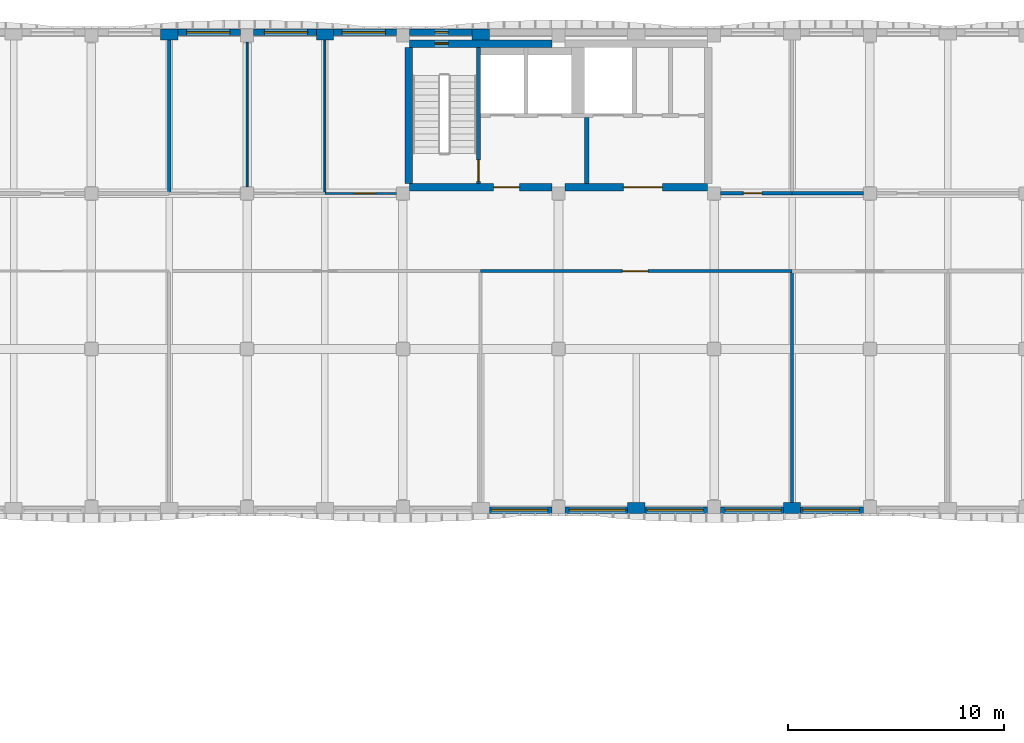
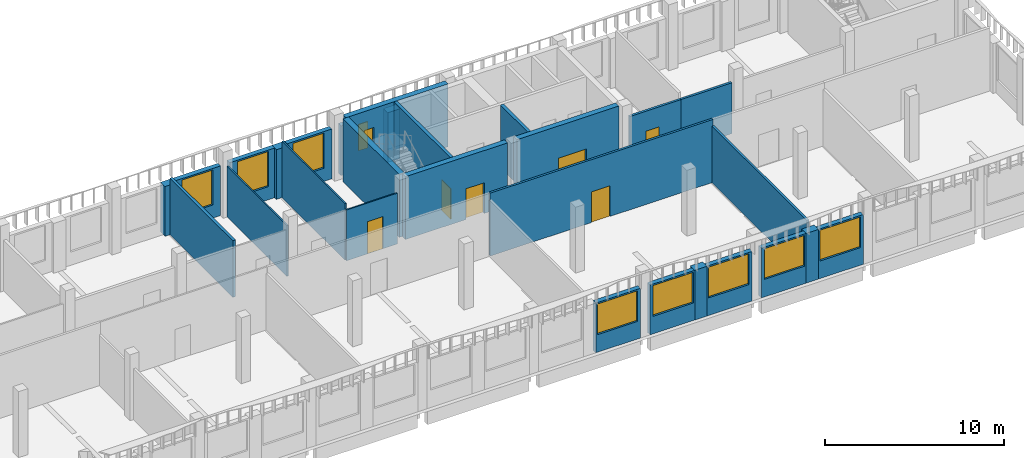
# One storey, part 19 of 44: 28 walls, 10 windows, 6 doors, 16 openings.
"""IFC4 building model written with IfcOpenShell, lengths in metres."""

from ifc_helpers import new_model, si_unit, direction, frame, frame_2d, origin, place, context, subcontext, project, spatial, rectangle, extrude, material, layer, layer_set, type_object, element, fill, save


model = new_model("IFC4")

# Units and contexts
model_context = context("Model", 3, precision=1e-05, world=origin(), true_north=direction((0.0, 1.0)))
body_context = subcontext(model_context, "Body", "Model", "MODEL_VIEW")
ifc_project = project(units=[si_unit("LENGTHUNIT", "METRE"), si_unit("AREAUNIT", "SQUARE_METRE"), si_unit("VOLUMEUNIT", "CUBIC_METRE"), si_unit("PLANEANGLEUNIT", "RADIAN"), si_unit("MASSUNIT", "GRAM", prefix="KILO")], contexts=[model_context])

# Site, building, storey
site_placement = place(None, origin())
site = spatial("IfcSite", under=ifc_project, at=site_placement, CompositionType="ELEMENT")
building_placement = place(site_placement, origin())
building = spatial("IfcBuilding", under=site, at=building_placement, Name="Ussher Court Research Institute", CompositionType="ELEMENT")
storey_placement = place(building_placement, frame((0.0, 0.0, 18.89990234375)))
storey = spatial("IfcBuildingStorey", under=building, at=storey_placement, Name="L04", CompositionType="ELEMENT", Elevation=18.89990234375)

# Wall
ifc_material_1 = material(Name="Plasterboard on steel studs with mineral wool", Category="steel")
ifc_layer_1 = layer(ifc_material_1, 0.179931640625)
ifc_layer_set_1 = layer_set([ifc_layer_1], Name="Plasterboard on steel studs with mineral wool")
wall_type_1 = type_object("IfcWallType", Name="Acoustic twin-stud partition 180", PredefinedType="PARTITIONING", material=ifc_layer_set_1)
wall_1_placement = place(storey_placement, frame((35.39990234375, 83.2451171875, 0.0), z_axis=(0.0, 0.0, 1.0), x_axis=(0.0, 1.0, 0.0)))
element("IfcWall", 1, at=wall_1_placement, inside=storey, type_object=wall_type_1, Name="Partition", PredefinedType="PARTITIONING", context=body_context, shape_type="SweptSolid", body=[
    extrude(rectangle(XDim=7.054931640625, YDim=0.179931640625, at=frame_2d((3.52734375, 0.0))), origin(), (0.0, 0.0, 1.0), 3.8701171875),
])

# Wall, opening, window
ifc_material_2 = material(Name="Blockwork with cream render", Category="masonry")
ifc_layer_2 = layer(ifc_material_2, 0.300048828125)
ifc_layer_set_2 = layer_set([ifc_layer_2], Name="Blockwork with cream render")
wall_type_2 = type_object("IfcWallType", Name="External wall 300 cream render", PredefinedType="SOLIDWALL", material=ifc_layer_set_2)
wall_2_placement = place(storey_placement, frame((35.800048828125, 90.64990234375, 0.0), z_axis=(0.0, 0.0, 1.0), x_axis=(1.0, 0.0, 0.0)))
wall_2 = element("IfcWall", 2, at=wall_2_placement, inside=storey, type_object=wall_type_2, Name="External wall EW1 L04", PredefinedType="SOLIDWALL", context=body_context, shape_type="SweptSolid", body=[
    extrude(rectangle(XDim=2.89990234375, YDim=0.300048828125, at=frame_2d((1.449951171875, 0.0))), origin(), (0.0, 0.0, 1.0), 3.400146484375),
])
opening_1_placement = place(wall_2_placement, frame((0.39990234375, 0.0, 0.89990234375)))
opening_1 = element("IfcOpeningElement", 3, at=opening_1_placement, cuts=wall_2, Name="Opening W14", PredefinedType="OPENING", context=body_context, shape_type="SweptSolid", body=[
    extrude(rectangle(XDim=2.0, YDim=2.39990234375, at=frame_2d((1.0, 1.199951171875))), frame((0.0, 0.16015625, 0.0), z_axis=(0.0, -1.0, 0.0), x_axis=(1.0, 0.0, 0.0)), (0.0, 0.0, 1.0), 0.320068359375),
])
ifc_material_3 = material(Name="Bronze anodised aluminium with double glazing", Category="aluminium")
window_type_1 = type_object("IfcWindowType", Name="Seminar and write-up office window 2000x2400", PartitioningType="DOUBLE_PANEL_VERTICAL", PredefinedType="WINDOW", material=ifc_material_3)
window_1_placement = place(opening_1_placement, origin())
window_1 = element("IfcWindow", 4, at=window_1_placement, inside=storey, type_object=window_type_1, Name="Window W14 L04", OverallHeight=2.39990234375, OverallWidth=2.0, PartitioningType="SINGLE_PANEL", PredefinedType="WINDOW", context=body_context, shape_type="SweptSolid", body=[
    extrude(rectangle(XDim=2.0, YDim=2.39990234375, at=frame_2d((1.0, 1.199951171875))), frame((0.0, 0.030029296875, 0.0), z_axis=(0.0, -1.0, 0.0), x_axis=(1.0, 0.0, 0.0)), (0.0, 0.0, 1.0), 0.06005859375),
])
fill(opening_1, window_1)

wall_3_placement = place(storey_placement, frame((39.300048828125, 90.64990234375, 0.0), z_axis=(0.0, 0.0, 1.0), x_axis=(1.0, 0.0, 0.0)))
wall_3 = element("IfcWall", 5, at=wall_3_placement, inside=storey, type_object=wall_type_2, Name="External wall EW1 L04", PredefinedType="SOLIDWALL", context=body_context, shape_type="SweptSolid", body=[
    extrude(rectangle(XDim=2.89990234375, YDim=0.300048828125, at=frame_2d((1.449951171875, 0.0))), origin(), (0.0, 0.0, 1.0), 3.400146484375),
])
opening_2_placement = place(wall_3_placement, frame((0.5, 0.0, 0.89990234375)))
opening_2 = element("IfcOpeningElement", 6, at=opening_2_placement, cuts=wall_3, Name="Opening W14", PredefinedType="OPENING", context=body_context, shape_type="SweptSolid", body=[
    extrude(rectangle(XDim=2.0, YDim=2.39990234375, at=frame_2d((1.0, 1.199951171875))), frame((0.0, 0.16015625, 0.0), z_axis=(0.0, -1.0, 0.0), x_axis=(1.0, 0.0, 0.0)), (0.0, 0.0, 1.0), 0.320068359375),
])
window_2_placement = place(opening_2_placement, origin())
window_2 = element("IfcWindow", 7, at=window_2_placement, inside=storey, type_object=window_type_1, Name="Window W14 L04", OverallHeight=2.39990234375, OverallWidth=2.0, PartitioningType="SINGLE_PANEL", PredefinedType="WINDOW", context=body_context, shape_type="SweptSolid", body=[
    extrude(rectangle(XDim=2.0, YDim=2.39990234375, at=frame_2d((1.0, 1.199951171875))), frame((0.0, 0.030029296875, 0.0), z_axis=(0.0, -1.0, 0.0), x_axis=(1.0, 0.0, 0.0)), (0.0, 0.0, 1.0), 0.06005859375),
])
fill(opening_2, window_2)

wall_4_placement = place(storey_placement, frame((43.0, 90.64990234375, 0.0), z_axis=(0.0, 0.0, 1.0), x_axis=(1.0, 0.0, 0.0)))
wall_4 = element("IfcWall", 8, at=wall_4_placement, inside=storey, type_object=wall_type_2, Name="External wall EW1 L04", PredefinedType="SOLIDWALL", context=body_context, shape_type="SweptSolid", body=[
    extrude(rectangle(XDim=2.89990234375, YDim=0.300048828125, at=frame_2d((1.449951171875, 0.0))), origin(), (0.0, 0.0, 1.0), 3.400146484375),
])
opening_3_placement = place(wall_4_placement, frame((0.39990234375, 0.0, 0.89990234375)))
opening_3 = element("IfcOpeningElement", 9, at=opening_3_placement, cuts=wall_4, Name="Opening W14", PredefinedType="OPENING", context=body_context, shape_type="SweptSolid", body=[
    extrude(rectangle(XDim=2.0, YDim=2.39990234375, at=frame_2d((1.0, 1.199951171875))), frame((0.0, 0.16015625, 0.0), z_axis=(0.0, -1.0, 0.0), x_axis=(1.0, 0.0, 0.0)), (0.0, 0.0, 1.0), 0.320068359375),
])
window_3_placement = place(opening_3_placement, origin())
window_3 = element("IfcWindow", 10, at=window_3_placement, inside=storey, type_object=window_type_1, Name="Window W14 L04", OverallHeight=2.39990234375, OverallWidth=2.0, PartitioningType="SINGLE_PANEL", PredefinedType="WINDOW", context=body_context, shape_type="SweptSolid", body=[
    extrude(rectangle(XDim=2.0, YDim=2.39990234375, at=frame_2d((1.0, 1.199951171875))), frame((0.0, 0.030029296875, 0.0), z_axis=(0.0, -1.0, 0.0), x_axis=(1.0, 0.0, 0.0)), (0.0, 0.0, 1.0), 0.06005859375),
])
fill(opening_3, window_3)

wall_5_placement = place(storey_placement, frame((67.5, 68.550048828125, 0.0), z_axis=(0.0, 0.0, 1.0), x_axis=(-1.0, 0.0, 0.0)))
wall_5 = element("IfcWall", 11, at=wall_5_placement, inside=storey, type_object=wall_type_2, Name="External wall EW1 L04", PredefinedType="SOLIDWALL", context=body_context, shape_type="SweptSolid", body=[
    extrude(rectangle(XDim=2.89990234375, YDim=0.300048828125, at=frame_2d((1.449951171875, 0.0))), origin(), (0.0, 0.0, 1.0), 3.400146484375),
])
opening_4_placement = place(wall_5_placement, frame((0.199951171875, 0.0, 1.199951171875)))
opening_4 = element("IfcOpeningElement", 12, at=opening_4_placement, cuts=wall_5, Name="Opening W08", PredefinedType="OPENING", context=body_context, shape_type="SweptSolid", body=[
    extrude(rectangle(XDim=2.60009765625, YDim=2.10009765625, at=frame_2d((1.300048828125, 1.050048828125))), frame((0.0, 0.16015625, 0.0), z_axis=(0.0, -1.0, 0.0), x_axis=(1.0, 0.0, 0.0)), (0.0, 0.0, 1.0), 0.320068359375),
])
ifc_material_4 = material(Name="Bronze anodised aluminium with double glazing", Category="aluminium")
window_type_2 = type_object("IfcWindowType", Name="Dry laboratory bay window 2600x2100", PartitioningType="DOUBLE_PANEL_VERTICAL", PredefinedType="WINDOW", material=ifc_material_4)
window_4_placement = place(opening_4_placement, origin())
window_4 = element("IfcWindow", 13, at=window_4_placement, inside=storey, type_object=window_type_2, Name="Window W08 L04", OverallHeight=2.10009765625, OverallWidth=2.60009765625, PartitioningType="SINGLE_PANEL", PredefinedType="WINDOW", context=body_context, shape_type="SweptSolid", body=[
    extrude(rectangle(XDim=2.60009765625, YDim=2.10009765625, at=frame_2d((1.300048828125, 1.050048828125))), frame((0.0, 0.030029296875, 0.0), z_axis=(0.0, -1.0, 0.0), x_axis=(1.0, 0.0, 0.0)), (0.0, 0.0, 1.0), 0.06005859375),
])
fill(opening_4, window_4)

wall_6_placement = place(storey_placement, frame((63.800048828125, 68.550048828125, 0.0), z_axis=(0.0, 0.0, 1.0), x_axis=(-1.0, 0.0, 0.0)))
wall_6 = element("IfcWall", 14, at=wall_6_placement, inside=storey, type_object=wall_type_2, Name="External wall EW1 L04", PredefinedType="SOLIDWALL", context=body_context, shape_type="SweptSolid", body=[
    extrude(rectangle(XDim=2.900146484375, YDim=0.300048828125, at=frame_2d((1.4501953125, 0.0))), origin(), (0.0, 0.0, 1.0), 3.400146484375),
])
opening_5_placement = place(wall_6_placement, frame((0.10009765625, 0.0, 1.199951171875)))
opening_5 = element("IfcOpeningElement", 15, at=opening_5_placement, cuts=wall_6, Name="Opening W08", PredefinedType="OPENING", context=body_context, shape_type="SweptSolid", body=[
    extrude(rectangle(XDim=2.60009765625, YDim=2.10009765625, at=frame_2d((1.300048828125, 1.050048828125))), frame((0.0, 0.16015625, 0.0), z_axis=(0.0, -1.0, 0.0), x_axis=(1.0, 0.0, 0.0)), (0.0, 0.0, 1.0), 0.320068359375),
])
window_5_placement = place(opening_5_placement, origin())
window_5 = element("IfcWindow", 16, at=window_5_placement, inside=storey, type_object=window_type_2, Name="Window W08 L04", OverallHeight=2.10009765625, OverallWidth=2.60009765625, PartitioningType="SINGLE_PANEL", PredefinedType="WINDOW", context=body_context, shape_type="SweptSolid", body=[
    extrude(rectangle(XDim=2.60009765625, YDim=2.10009765625, at=frame_2d((1.300048828125, 1.050048828125))), frame((0.0, 0.030029296875, 0.0), z_axis=(0.0, -1.0, 0.0), x_axis=(1.0, 0.0, 0.0)), (0.0, 0.0, 1.0), 0.06005859375),
])
fill(opening_5, window_5)

wall_7_placement = place(storey_placement, frame((60.300048828125, 68.550048828125, 0.0), z_axis=(0.0, 0.0, 1.0), x_axis=(-1.0, 0.0, 0.0)))
wall_7 = element("IfcWall", 17, at=wall_7_placement, inside=storey, type_object=wall_type_2, Name="External wall EW1 L04", PredefinedType="SOLIDWALL", context=body_context, shape_type="SweptSolid", body=[
    extrude(rectangle(XDim=2.900146484375, YDim=0.300048828125, at=frame_2d((1.4501953125, 0.0))), origin(), (0.0, 0.0, 1.0), 3.400146484375),
])
opening_6_placement = place(wall_7_placement, frame((0.199951171875, 0.0, 1.199951171875)))
opening_6 = element("IfcOpeningElement", 18, at=opening_6_placement, cuts=wall_7, Name="Opening W08", PredefinedType="OPENING", context=body_context, shape_type="SweptSolid", body=[
    extrude(rectangle(XDim=2.60009765625, YDim=2.10009765625, at=frame_2d((1.300048828125, 1.050048828125))), frame((0.0, 0.16015625, 0.0), z_axis=(0.0, -1.0, 0.0), x_axis=(1.0, 0.0, 0.0)), (0.0, 0.0, 1.0), 0.320068359375),
])
window_6_placement = place(opening_6_placement, origin())
window_6 = element("IfcWindow", 19, at=window_6_placement, inside=storey, type_object=window_type_2, Name="Window W08 L04", OverallHeight=2.10009765625, OverallWidth=2.60009765625, PartitioningType="SINGLE_PANEL", PredefinedType="WINDOW", context=body_context, shape_type="SweptSolid", body=[
    extrude(rectangle(XDim=2.60009765625, YDim=2.10009765625, at=frame_2d((1.300048828125, 1.050048828125))), frame((0.0, 0.030029296875, 0.0), z_axis=(0.0, -1.0, 0.0), x_axis=(1.0, 0.0, 0.0)), (0.0, 0.0, 1.0), 0.06005859375),
])
fill(opening_6, window_6)

wall_8_placement = place(storey_placement, frame((56.60009765625, 68.550048828125, 0.0), z_axis=(0.0, 0.0, 1.0), x_axis=(-1.0, 0.0, 0.0)))
wall_8 = element("IfcWall", 20, at=wall_8_placement, inside=storey, type_object=wall_type_2, Name="External wall EW1 L04", PredefinedType="SOLIDWALL", context=body_context, shape_type="SweptSolid", body=[
    extrude(rectangle(XDim=2.900146484375, YDim=0.300048828125, at=frame_2d((1.4501953125, 0.0))), origin(), (0.0, 0.0, 1.0), 3.400146484375),
])
opening_7_placement = place(wall_8_placement, frame((0.10009765625, 0.0, 1.199951171875)))
opening_7 = element("IfcOpeningElement", 21, at=opening_7_placement, cuts=wall_8, Name="Opening W08", PredefinedType="OPENING", context=body_context, shape_type="SweptSolid", body=[
    extrude(rectangle(XDim=2.60009765625, YDim=2.10009765625, at=frame_2d((1.300048828125, 1.050048828125))), frame((0.0, 0.16015625, 0.0), z_axis=(0.0, -1.0, 0.0), x_axis=(1.0, 0.0, 0.0)), (0.0, 0.0, 1.0), 0.320068359375),
])
window_7_placement = place(opening_7_placement, origin())
window_7 = element("IfcWindow", 22, at=window_7_placement, inside=storey, type_object=window_type_2, Name="Window W08 L04", OverallHeight=2.10009765625, OverallWidth=2.60009765625, PartitioningType="SINGLE_PANEL", PredefinedType="WINDOW", context=body_context, shape_type="SweptSolid", body=[
    extrude(rectangle(XDim=2.60009765625, YDim=2.10009765625, at=frame_2d((1.300048828125, 1.050048828125))), frame((0.0, 0.030029296875, 0.0), z_axis=(0.0, -1.0, 0.0), x_axis=(1.0, 0.0, 0.0)), (0.0, 0.0, 1.0), 0.06005859375),
])
fill(opening_7, window_7)

wall_9_placement = place(storey_placement, frame((53.10009765625, 68.550048828125, 0.0), z_axis=(0.0, 0.0, 1.0), x_axis=(-1.0, 0.0, 0.0)))
wall_9 = element("IfcWall", 23, at=wall_9_placement, inside=storey, type_object=wall_type_2, Name="External wall EW1 L04", PredefinedType="SOLIDWALL", context=body_context, shape_type="SweptSolid", body=[
    extrude(rectangle(XDim=2.900146484375, YDim=0.300048828125, at=frame_2d((1.4501953125, 0.0))), origin(), (0.0, 0.0, 1.0), 3.400146484375),
])
opening_8_placement = place(wall_9_placement, frame((0.199951171875, 0.0, 1.199951171875)))
opening_8 = element("IfcOpeningElement", 24, at=opening_8_placement, cuts=wall_9, Name="Opening W08", PredefinedType="OPENING", context=body_context, shape_type="SweptSolid", body=[
    extrude(rectangle(XDim=2.60009765625, YDim=2.10009765625, at=frame_2d((1.300048828125, 1.050048828125))), frame((0.0, 0.16015625, 0.0), z_axis=(0.0, -1.0, 0.0), x_axis=(1.0, 0.0, 0.0)), (0.0, 0.0, 1.0), 0.320068359375),
])
window_8_placement = place(opening_8_placement, origin())
window_8 = element("IfcWindow", 25, at=window_8_placement, inside=storey, type_object=window_type_2, Name="Window W08 L04", OverallHeight=2.10009765625, OverallWidth=2.60009765625, PartitioningType="SINGLE_PANEL", PredefinedType="WINDOW", context=body_context, shape_type="SweptSolid", body=[
    extrude(rectangle(XDim=2.60009765625, YDim=2.10009765625, at=frame_2d((1.300048828125, 1.050048828125))), frame((0.0, 0.030029296875, 0.0), z_axis=(0.0, -1.0, 0.0), x_axis=(1.0, 0.0, 0.0)), (0.0, 0.0, 1.0), 0.06005859375),
])
fill(opening_8, window_8)

ifc_material_5 = material(Name="Limestone facing on blockwork", Category="masonry")
ifc_layer_3 = layer(ifc_material_5, 0.300048828125)
ifc_layer_set_3 = layer_set([ifc_layer_3], Name="Limestone facing on blockwork")
wall_type_3 = type_object("IfcWallType", Name="External wall 300 stair enclosure", PredefinedType="SOLIDWALL", material=ifc_layer_set_3)
wall_10_placement = place(storey_placement, frame((46.5, 90.64990234375, 0.0), z_axis=(0.0, 0.0, 1.0), x_axis=(1.0, 0.0, 0.0)))
wall_10 = element("IfcWall", 26, at=wall_10_placement, inside=storey, type_object=wall_type_3, Name="External wall EW5 L04", PredefinedType="SOLIDWALL", context=body_context, shape_type="SweptSolid", body=[
    extrude(rectangle(XDim=2.89990234375, YDim=0.300048828125, at=frame_2d((1.449951171875, 0.0))), origin(), (0.0, 0.0, 1.0), 3.400146484375),
])
opening_9_placement = place(wall_10_placement, frame((1.199951171875, 0.0, 1.199951171875)))
opening_9 = element("IfcOpeningElement", 27, at=opening_9_placement, cuts=wall_10, Name="Opening W25", PredefinedType="OPENING", context=body_context, shape_type="SweptSolid", body=[
    extrude(rectangle(XDim=0.60009765625, YDim=1.800048828125, at=frame_2d((0.300048828125, 0.89990234375))), frame((0.0, 0.16015625, 0.0), z_axis=(0.0, -1.0, 0.0), x_axis=(1.0, 0.0, 0.0)), (0.0, 0.0, 1.0), 0.320068359375),
])
ifc_material_6 = material(Name="Bronze anodised aluminium with double glazing", Category="aluminium")
window_type_3 = type_object("IfcWindowType", Name="Stair light slot window 600x1800 fire-resisting glazing", PartitioningType="SINGLE_PANEL", PredefinedType="WINDOW", material=ifc_material_6)
window_9_placement = place(opening_9_placement, origin())
window_9 = element("IfcWindow", 28, at=window_9_placement, inside=storey, type_object=window_type_3, Name="Window W25 L04", OverallHeight=1.800048828125, OverallWidth=0.60009765625, PartitioningType="SINGLE_PANEL", PredefinedType="WINDOW", context=body_context, shape_type="SweptSolid", body=[
    extrude(rectangle(XDim=0.60009765625, YDim=1.800048828125, at=frame_2d((0.300048828125, 0.89990234375))), frame((0.0, 0.030029296875, 0.0), z_axis=(0.0, -1.0, 0.0), x_axis=(1.0, 0.0, 0.0)), (0.0, 0.0, 1.0), 0.06005859375),
])
fill(opening_9, window_9)

# Wall, opening, door
ifc_material_7 = material(Name="Plastered blockwork", Category="masonry")
ifc_layer_4 = layer(ifc_material_7, 0.14990234375)
ifc_layer_set_4 = layer_set([ifc_layer_4], Name="Plastered blockwork")
wall_type_4 = type_object("IfcWallType", Name="Fire partition blockwork 150 EI 60", PredefinedType="PARTITIONING", material=ifc_layer_set_4)
wall_11_placement = place(storey_placement, frame((60.89990234375, 83.199951171875, 0.0), z_axis=(0.0, 0.0, 1.0), x_axis=(1.0, 0.0, 0.0)))
wall_11 = element("IfcWall", 29, at=wall_11_placement, inside=storey, type_object=wall_type_4, Name="Fire partition", PredefinedType="PARTITIONING", context=body_context, shape_type="SweptSolid", body=[
    extrude(rectangle(XDim=3.300048828125, YDim=0.14990234375, at=frame_2d((1.64990234375, 0.0))), origin(), (0.0, 0.0, 1.0), 3.47021484375),
])
opening_10_placement = place(wall_11_placement, frame((1.050048828125, 0.0, 0.0)))
opening_10 = element("IfcOpeningElement", 30, at=opening_10_placement, cuts=wall_11, Name="Opening D04018", PredefinedType="OPENING", context=body_context, shape_type="SweptSolid", body=[
    extrude(rectangle(XDim=0.85009765625, YDim=2.10009765625, at=frame_2d((0.425048828125, 1.050048828125))), frame((0.0, 0.0849609375, 0.0), z_axis=(0.0, -1.0, 0.0), x_axis=(1.0, 0.0, 0.0)), (0.0, 0.0, 1.0), 0.169921875),
])
ifc_material_8 = material(Name="Painted steel faced fire door", Category="steel")
door_type_1 = type_object("IfcDoorType", Name="Service store door 850x2100 FD60", OperationType="NOTDEFINED", PredefinedType="DOOR", material=ifc_material_8)
door_1_placement = place(opening_10_placement, origin())
door_1 = element("IfcDoor", 31, at=door_1_placement, inside=storey, type_object=door_type_1, Name="Door D04018", OperationType="SINGLE_SWING_LEFT", OverallHeight=2.10009765625, OverallWidth=0.85009765625, PredefinedType="DOOR", context=body_context, shape_type="SweptSolid", body=[
    extrude(rectangle(XDim=0.85009765625, YDim=2.10009765625, at=frame_2d((0.425048828125, 1.050048828125))), frame((0.0, 0.02490234375, 0.0), z_axis=(0.0, -1.0, 0.0), x_axis=(1.0, 0.0, 0.0)), (0.0, 0.0, 1.0), 0.050048828125),
])
fill(opening_10, door_1)

# Wall
wall_12_placement = place(storey_placement, frame((64.199951171875, 83.199951171875, 0.0), z_axis=(0.0, 0.0, 1.0), x_axis=(1.0, 0.0, 0.0)))
element("IfcWall", 32, at=wall_12_placement, inside=storey, type_object=wall_type_4, Name="Fire partition", PredefinedType="PARTITIONING", context=body_context, shape_type="SweptSolid", body=[
    extrude(rectangle(XDim=3.300048828125, YDim=0.14990234375, at=frame_2d((1.64990234375, 0.0))), origin(), (0.0, 0.0, 1.0), 3.47021484375),
])

# Wall, opening, door
ifc_material_9 = material(Name="Plastered blockwork", Category="masonry")
ifc_layer_5 = layer(ifc_material_9, 0.139892578125)
ifc_layer_set_5 = layer_set([ifc_layer_5], Name="Plastered blockwork")
wall_type_5 = type_object("IfcWallType", Name="Laboratory blockwork partition 140", PredefinedType="PARTITIONING", material=ifc_layer_set_5)
wall_13_placement = place(storey_placement, frame((64.199951171875, 79.60009765625, 0.0), z_axis=(0.0, 0.0, 1.0), x_axis=(-1.0, 0.0, 0.0)))
wall_13 = element("IfcWall", 33, at=wall_13_placement, inside=storey, type_object=wall_type_5, Name="Partition", PredefinedType="PARTITIONING", context=body_context, shape_type="SweptSolid", body=[
    extrude(rectangle(XDim=14.39990234375, YDim=0.139892578125, at=frame_2d((7.199951171875, 0.0))), origin(), (0.0, 0.0, 1.0), 4.300048828125),
])
opening_11_placement = place(wall_13_placement, frame((6.64990234375, 0.0, 0.0)))
opening_11 = element("IfcOpeningElement", 34, at=opening_11_placement, cuts=wall_13, Name="Opening D04014", PredefinedType="OPENING", context=body_context, shape_type="SweptSolid", body=[
    extrude(rectangle(XDim=1.199951171875, YDim=2.10009765625, at=frame_2d((0.60009765625, 1.050048828125))), frame((0.0, 0.080078125, 0.0), z_axis=(0.0, -1.0, 0.0), x_axis=(1.0, 0.0, 0.0)), (0.0, 0.0, 1.0), 0.159912109375),
])
ifc_material_10 = material(Name="Veneered timber door", Category="wood")
door_type_2 = type_object("IfcDoorType", Name="Laboratory door 1200x2100", OperationType="NOTDEFINED", PredefinedType="DOOR", material=ifc_material_10)
door_2_placement = place(opening_11_placement, origin())
door_2 = element("IfcDoor", 35, at=door_2_placement, inside=storey, type_object=door_type_2, Name="Door D04014", OperationType="SINGLE_SWING_RIGHT", OverallHeight=2.10009765625, OverallWidth=1.199951171875, PredefinedType="DOOR", context=body_context, shape_type="SweptSolid", body=[
    extrude(rectangle(XDim=1.199951171875, YDim=2.10009765625, at=frame_2d((0.60009765625, 1.050048828125))), frame((0.0, 0.02490234375, 0.0), z_axis=(0.0, -1.0, 0.0), x_axis=(1.0, 0.0, 0.0)), (0.0, 0.0, 1.0), 0.050048828125),
])
fill(opening_11, door_2)

# Walls
wall_14_placement = place(storey_placement, frame((64.199951171875, 68.89990234375, 0.0), z_axis=(0.0, 0.0, 1.0), x_axis=(0.0, 1.0, 0.0)))
element("IfcWall", 36, at=wall_14_placement, inside=storey, type_object=wall_type_5, Name="Partition", PredefinedType="PARTITIONING", context=body_context, shape_type="SweptSolid", body=[
    extrude(rectangle(XDim=10.630126953125, YDim=0.139892578125, at=frame_2d((5.31494140625, 0.0))), origin(), (0.0, 0.0, 1.0), 3.8701171875),
])
ifc_material_11 = material(Name="Blockwork with cream render", Category="masonry")
ifc_layer_6 = layer(ifc_material_11, 0.5)
ifc_layer_set_6 = layer_set([ifc_layer_6], Name="Blockwork with cream render")
wall_type_6 = type_object("IfcWallType", Name="Pier 800x500 cream render", PredefinedType="SOLIDWALL", material=ifc_layer_set_6)
for number, where, z_axis, x_axis, name in (
    (37, (35.0, 90.550048828125, 0.0), (0.0, 0.0, 1.0), (1.0, 0.0, 0.0), "Pier PR1 L04"),
    (38, (42.199951171875, 90.550048828125, 0.0), (0.0, 0.0, 1.0), (1.0, 0.0, 0.0), "Pier PR1 L04"),
    (39, (49.39990234375, 90.550048828125, 0.0), (0.0, 0.0, 1.0), (1.0, 0.0, 0.0), "Pier PR1 L04"),
    (40, (64.60009765625, 68.64990234375, 0.0), (0.0, 0.0, 1.0), (-1.0, 0.0, 0.0), "Pier PR1 L04"),
):
    element("IfcWall", number, at=place(storey_placement, frame(where, z_axis=z_axis, x_axis=x_axis)), inside=storey, type_object=wall_type_6, Name=name, PredefinedType="SOLIDWALL", context=body_context, shape_type="SweptSolid", body=[
        extrude(rectangle(XDim=0.800048828125, YDim=0.5, at=frame_2d((0.39990234375, 0.0))), origin(), (0.0, 0.0, 1.0), 3.400146484375),
    ])
wall_15_placement = place(storey_placement, frame((57.39990234375, 68.64990234375, 0.0), z_axis=(0.0, 0.0, 1.0), x_axis=(-1.0, 0.0, 0.0)))
element("IfcWall", 41, at=wall_15_placement, inside=storey, type_object=wall_type_6, Name="Pier PR1 L04", PredefinedType="SOLIDWALL", context=body_context, shape_type="SweptSolid", body=[
    extrude(rectangle(XDim=0.7998046875, YDim=0.5, at=frame_2d((0.39990234375, 0.0))), origin(), (0.0, 0.0, 1.0), 3.400146484375),
])

# Wall, opening, door
ifc_material_12 = material(Name="Concrete C35/45", Category="concrete")
ifc_layer_7 = layer(ifc_material_12, 0.199951171875)
ifc_layer_set_7 = layer_set([ifc_layer_7], Name="Concrete C35/45")
wall_type_7 = type_object("IfcWallType", Name="RC core wall 200", PredefinedType="SHEAR", material=ifc_layer_set_7)
wall_16_placement = place(storey_placement, frame((49.699951171875, 83.64990234375, 0.0), z_axis=(0.0, 0.0, 1.0), x_axis=(0.0, 1.0, 0.0)))
wall_16 = element("IfcWall", 42, at=wall_16_placement, inside=storey, type_object=wall_type_7, Name="Core wall D2", PredefinedType="SHEAR", context=body_context, shape_type="SweptSolid", body=[
    extrude(rectangle(XDim=6.300048828125, YDim=0.199951171875, at=frame_2d((3.14990234375, 0.0))), origin(), (0.0, 0.0, 1.0), 4.300048828125),
])
opening_12_placement = place(wall_16_placement, frame((0.10009765625, 0.0, 0.0)))
opening_12 = element("IfcOpeningElement", 43, at=opening_12_placement, cuts=wall_16, Name="Opening D04012", PredefinedType="OPENING", context=body_context, shape_type="SweptSolid", body=[
    extrude(rectangle(XDim=1.0, YDim=2.10009765625, at=frame_2d((0.5, 1.050048828125))), frame((0.0, 0.10986328125, 0.0), z_axis=(0.0, -1.0, 0.0), x_axis=(1.0, 0.0, 0.0)), (0.0, 0.0, 1.0), 0.219970703125),
])
ifc_material_13 = material(Name="Painted steel faced fire door", Category="steel")
door_type_3 = type_object("IfcDoorType", Name="Fire door 1000x2100 FD60", OperationType="NOTDEFINED", PredefinedType="DOOR", material=ifc_material_13)
door_3_placement = place(opening_12_placement, origin())
door_3 = element("IfcDoor", 44, at=door_3_placement, inside=storey, type_object=door_type_3, Name="Door D04012", OperationType="SINGLE_SWING_LEFT", OverallHeight=2.10009765625, OverallWidth=1.0, PredefinedType="DOOR", context=body_context, shape_type="SweptSolid", body=[
    extrude(rectangle(XDim=1.0, YDim=2.10009765625, at=frame_2d((0.5, 1.050048828125))), frame((0.0, 0.02490234375, 0.0), z_axis=(0.0, -1.0, 0.0), x_axis=(1.0, 0.0, 0.0)), (0.0, 0.0, 1.0), 0.050048828125),
])
fill(opening_12, door_3)

# Wall
wall_17_placement = place(storey_placement, frame((54.699951171875, 83.64990234375, 0.0), z_axis=(0.0, 0.0, 1.0), x_axis=(0.0, 1.0, 0.0)))
element("IfcWall", 45, at=wall_17_placement, inside=storey, type_object=wall_type_7, Name="Core wall D2", PredefinedType="SHEAR", context=body_context, shape_type="SweptSolid", body=[
    extrude(rectangle(XDim=3.050048828125, YDim=0.199951171875, at=frame_2d((1.52490234375, 0.0))), origin(), (0.0, 0.0, 1.0), 4.300048828125),
])

# Wall, opening, door
ifc_material_14 = material(Name="Concrete C35/45", Category="concrete")
ifc_layer_8 = layer(ifc_material_14, 0.35009765625)
ifc_layer_set_8 = layer_set([ifc_layer_8], Name="Concrete C35/45")
wall_type_8 = type_object("IfcWallType", Name="RC core wall 350", PredefinedType="SHEAR", material=ifc_layer_set_8)
wall_18_placement = place(storey_placement, frame((46.5, 83.47509765625, 0.0), z_axis=(0.0, 0.0, 1.0), x_axis=(1.0, 0.0, 0.0)))
wall_18 = element("IfcWall", 46, at=wall_18_placement, inside=storey, type_object=wall_type_8, Name="Core wall D2", PredefinedType="SHEAR", context=body_context, shape_type="SweptSolid", body=[
    extrude(rectangle(XDim=6.60009765625, YDim=0.35009765625, at=frame_2d((3.300048828125, 0.0))), origin(), (0.0, 0.0, 1.0), 4.300048828125),
])
opening_13_placement = place(wall_18_placement, frame((3.89990234375, 0.0, 0.0)))
opening_13 = element("IfcOpeningElement", 47, at=opening_13_placement, cuts=wall_18, Name="Opening D04013", PredefinedType="OPENING", context=body_context, shape_type="SweptSolid", body=[
    extrude(rectangle(XDim=1.199951171875, YDim=2.10009765625, at=frame_2d((0.60009765625, 1.050048828125))), frame((0.0, 0.18505859375, 0.0), z_axis=(0.0, -1.0, 0.0), x_axis=(1.0, 0.0, 0.0)), (0.0, 0.0, 1.0), 0.3701171875),
])
ifc_material_15 = material(Name="Painted steel faced fire door", Category="steel")
door_type_4 = type_object("IfcDoorType", Name="Fire door 1200x2100 FD60", OperationType="NOTDEFINED", PredefinedType="DOOR", material=ifc_material_15)
door_4_placement = place(opening_13_placement, origin())
door_4 = element("IfcDoor", 48, at=door_4_placement, inside=storey, type_object=door_type_4, Name="Door D04013", OperationType="SINGLE_SWING_RIGHT", OverallHeight=2.10009765625, OverallWidth=1.199951171875, PredefinedType="DOOR", context=body_context, shape_type="SweptSolid", body=[
    extrude(rectangle(XDim=1.199951171875, YDim=2.10009765625, at=frame_2d((0.60009765625, 1.050048828125))), frame((0.0, 0.02490234375, 0.0), z_axis=(0.0, -1.0, 0.0), x_axis=(1.0, 0.0, 0.0)), (0.0, 0.0, 1.0), 0.050048828125),
])
fill(opening_13, door_4)

wall_19_placement = place(storey_placement, frame((53.699951171875, 83.47509765625, 0.0), z_axis=(0.0, 0.0, 1.0), x_axis=(1.0, 0.0, 0.0)))
wall_19 = element("IfcWall", 49, at=wall_19_placement, inside=storey, type_object=wall_type_8, Name="Core wall D2", PredefinedType="SHEAR", context=body_context, shape_type="SweptSolid", body=[
    extrude(rectangle(XDim=6.60009765625, YDim=0.35009765625, at=frame_2d((3.300048828125, 0.0))), origin(), (0.0, 0.0, 1.0), 4.300048828125),
])
opening_14_placement = place(wall_19_placement, frame((2.699951171875, 0.0, 0.0)))
opening_14 = element("IfcOpeningElement", 50, at=opening_14_placement, cuts=wall_19, Name="Opening D04015", PredefinedType="OPENING", context=body_context, shape_type="SweptSolid", body=[
    extrude(rectangle(XDim=1.800048828125, YDim=2.10009765625, at=frame_2d((0.89990234375, 1.050048828125))), frame((0.0, 0.18505859375, 0.0), z_axis=(0.0, -1.0, 0.0), x_axis=(1.0, 0.0, 0.0)), (0.0, 0.0, 1.0), 0.3701171875),
])
ifc_material_16 = material(Name="Painted steel faced fire door", Category="steel")
door_type_5 = type_object("IfcDoorType", Name="Fire door 1800x2100 FD60 double leaf", OperationType="DOUBLE_DOOR_SINGLE_SWING", PredefinedType="DOOR", material=ifc_material_16)
door_5_placement = place(opening_14_placement, origin())
door_5 = element("IfcDoor", 51, at=door_5_placement, inside=storey, type_object=door_type_5, Name="Door D04015", OperationType="SINGLE_SWING_LEFT", OverallHeight=2.10009765625, OverallWidth=1.800048828125, PredefinedType="DOOR", context=body_context, shape_type="SweptSolid", body=[
    extrude(rectangle(XDim=1.800048828125, YDim=2.10009765625, at=frame_2d((0.89990234375, 1.050048828125))), frame((0.0, 0.02490234375, 0.0), z_axis=(0.0, -1.0, 0.0), x_axis=(1.0, 0.0, 0.0)), (0.0, 0.0, 1.0), 0.050048828125),
])
fill(opening_14, door_5)

# Wall, opening, window
wall_20_placement = place(storey_placement, frame((46.5, 90.125, 0.0), z_axis=(0.0, 0.0, 1.0), x_axis=(1.0, 0.0, 0.0)))
wall_20 = element("IfcWall", 52, at=wall_20_placement, inside=storey, type_object=wall_type_8, Name="Core wall D2", PredefinedType="SHEAR", context=body_context, shape_type="SweptSolid", body=[
    extrude(rectangle(XDim=6.60009765625, YDim=0.35009765625, at=frame_2d((3.300048828125, 0.0))), origin(), (0.0, 0.0, 1.0), 4.300048828125),
])
opening_15_placement = place(wall_20_placement, frame((1.199951171875, 0.0, 1.199951171875)))
opening_15 = element("IfcOpeningElement", 53, at=opening_15_placement, cuts=wall_20, Name="Opening W25", PredefinedType="OPENING", context=body_context, shape_type="SweptSolid", body=[
    extrude(rectangle(XDim=0.60009765625, YDim=1.800048828125, at=frame_2d((0.300048828125, 0.89990234375))), frame((0.0, 0.18505859375, 0.0), z_axis=(0.0, -1.0, 0.0), x_axis=(1.0, 0.0, 0.0)), (0.0, 0.0, 1.0), 0.3701171875),
])
window_10_placement = place(opening_15_placement, origin())
window_10 = element("IfcWindow", 54, at=window_10_placement, inside=storey, type_object=window_type_3, Name="Window stair light D2 L04", OverallHeight=1.800048828125, OverallWidth=0.60009765625, PartitioningType="SINGLE_PANEL", PredefinedType="WINDOW", context=body_context, shape_type="SweptSolid", body=[
    extrude(rectangle(XDim=0.60009765625, YDim=1.800048828125, at=frame_2d((0.300048828125, 0.89990234375))), frame((0.0, 0.030029296875, 0.0), z_axis=(0.0, -1.0, 0.0), x_axis=(1.0, 0.0, 0.0)), (0.0, 0.0, 1.0), 0.06005859375),
])
fill(opening_15, window_10)

# Wall
wall_21_placement = place(storey_placement, frame((46.47509765625, 83.64990234375, 0.0), z_axis=(0.0, 0.0, 1.0), x_axis=(0.0, 1.0, 0.0)))
element("IfcWall", 55, at=wall_21_placement, inside=storey, type_object=wall_type_8, Name="Core wall D2", PredefinedType="SHEAR", context=body_context, shape_type="SweptSolid", body=[
    extrude(rectangle(XDim=6.300048828125, YDim=0.35009765625, at=frame_2d((3.14990234375, 0.0))), origin(), (0.0, 0.0, 1.0), 4.300048828125),
])

# Wall, opening, door
ifc_material_17 = material(Name="Moisture-resistant board on steel studs", Category="steel")
ifc_layer_9 = layer(ifc_material_17, 0.090087890625)
ifc_layer_set_9 = layer_set([ifc_layer_9], Name="Moisture-resistant board on steel studs")
wall_type_9 = type_object("IfcWallType", Name="WC lining partition 90", PredefinedType="PARTITIONING", material=ifc_layer_set_9)
wall_22_placement = place(storey_placement, frame((42.60009765625, 83.199951171875, 0.0), z_axis=(0.0, 0.0, 1.0), x_axis=(1.0, 0.0, 0.0)))
wall_22 = element("IfcWall", 56, at=wall_22_placement, inside=storey, type_object=wall_type_9, Name="Partition", PredefinedType="PARTITIONING", context=body_context, shape_type="SweptSolid", body=[
    extrude(rectangle(XDim=3.2998046875, YDim=0.090087890625, at=frame_2d((1.64990234375, 0.0))), origin(), (0.0, 0.0, 1.0), 3.47021484375),
])
opening_16_placement = place(wall_22_placement, frame((1.35009765625, 0.0, 0.0)))
opening_16 = element("IfcOpeningElement", 57, at=opening_16_placement, cuts=wall_22, Name="Opening D04011", PredefinedType="OPENING", context=body_context, shape_type="SweptSolid", body=[
    extrude(rectangle(XDim=1.0, YDim=2.199951171875, at=frame_2d((0.5, 1.10009765625))), frame((0.0, 0.05517578125, 0.0), z_axis=(0.0, -1.0, 0.0), x_axis=(1.0, 0.0, 0.0)), (0.0, 0.0, 1.0), 0.110107421875),
])
ifc_material_18 = material(Name="Veneered timber door", Category="wood")
door_type_6 = type_object("IfcDoorType", Name="Accessible WC door 1000x2200", OperationType="NOTDEFINED", PredefinedType="DOOR", material=ifc_material_18)
door_6_placement = place(opening_16_placement, origin())
door_6 = element("IfcDoor", 58, at=door_6_placement, inside=storey, type_object=door_type_6, Name="Door D04011", OperationType="SINGLE_SWING_RIGHT", OverallHeight=2.199951171875, OverallWidth=1.0, PredefinedType="DOOR", context=body_context, shape_type="SweptSolid", body=[
    extrude(rectangle(XDim=1.0, YDim=2.199951171875, at=frame_2d((0.5, 1.10009765625))), frame((0.0, 0.02490234375, 0.0), z_axis=(0.0, -1.0, 0.0), x_axis=(1.0, 0.0, 0.0)), (0.0, 0.0, 1.0), 0.050048828125),
])
fill(opening_16, door_6)

# Walls
wall_23_placement = place(storey_placement, frame((39.0, 83.5, 0.0), z_axis=(0.0, 0.0, 1.0), x_axis=(0.0, 1.0, 0.0)))
element("IfcWall", 59, at=wall_23_placement, inside=storey, type_object=wall_type_9, Name="Partition", PredefinedType="PARTITIONING", context=body_context, shape_type="SweptSolid", body=[
    extrude(rectangle(XDim=6.699951171875, YDim=0.090087890625, at=frame_2d((3.35009765625, 0.0))), origin(), (0.0, 0.0, 1.0), 3.47021484375),
])
wall_24_placement = place(storey_placement, frame((42.60009765625, 83.2451171875, 0.0), z_axis=(0.0, 0.0, 1.0), x_axis=(0.0, 1.0, 0.0)))
element("IfcWall", 60, at=wall_24_placement, inside=storey, type_object=wall_type_9, Name="Partition", PredefinedType="PARTITIONING", context=body_context, shape_type="SweptSolid", body=[
    extrude(rectangle(XDim=7.054931640625, YDim=0.090087890625, at=frame_2d((3.52734375, 0.0))), origin(), (0.0, 0.0, 1.0), 3.8701171875),
])

save(model, "model.ifc")
